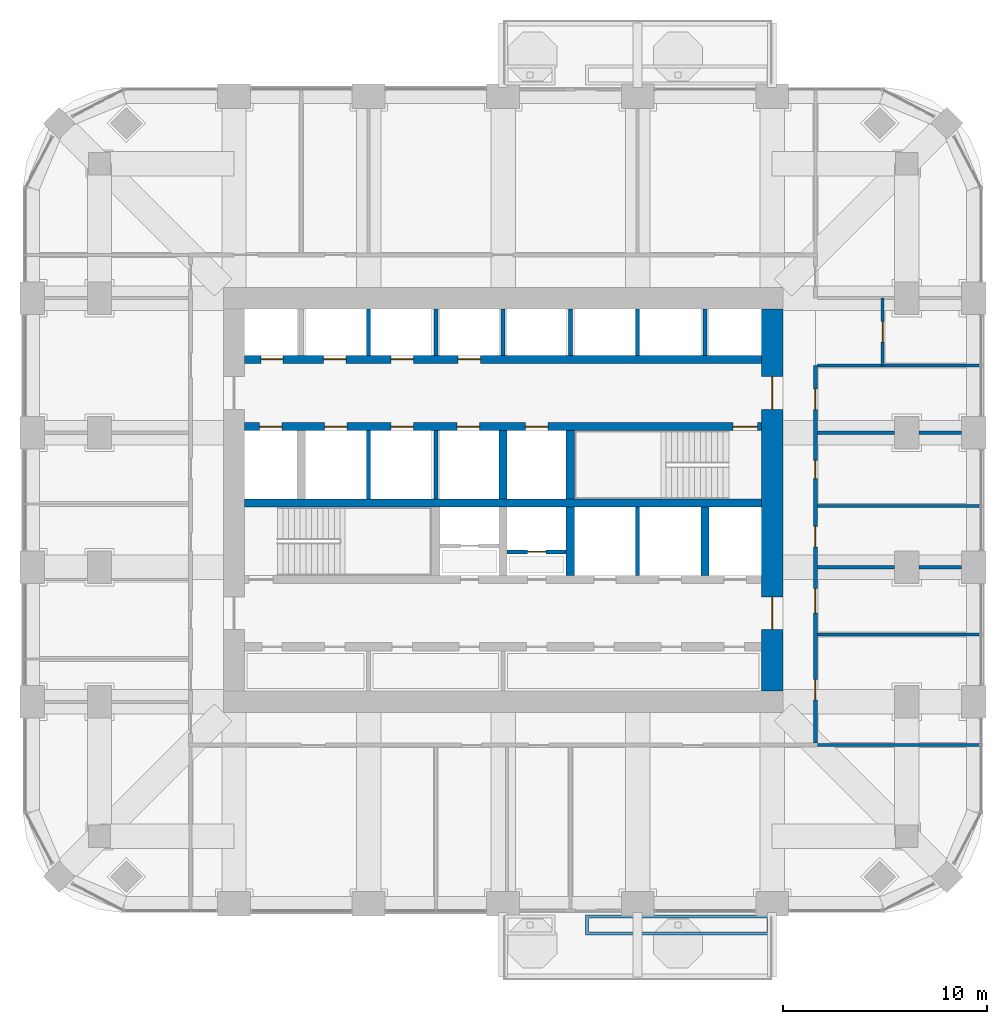
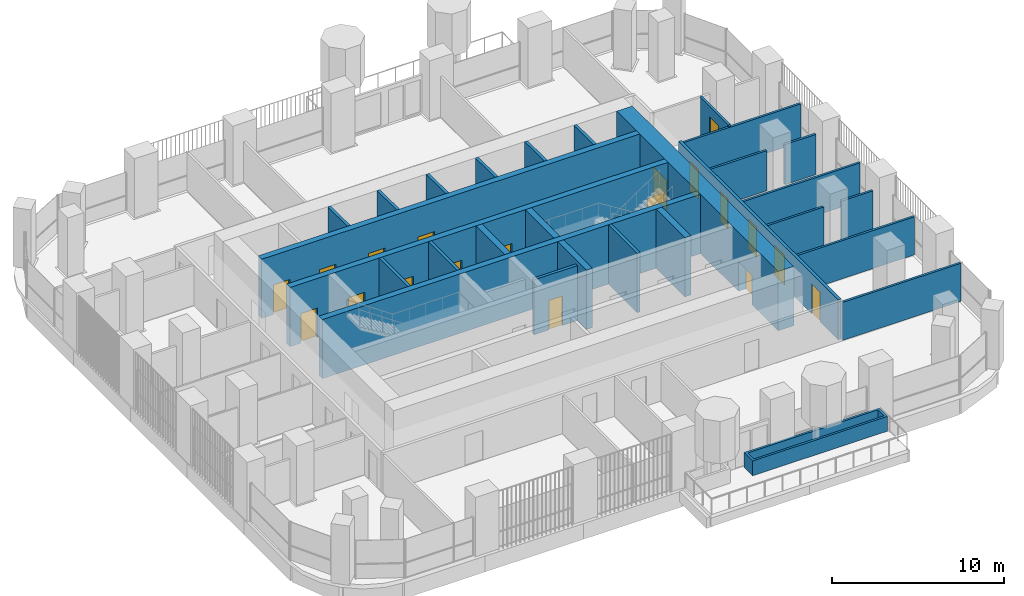
# One storey, part 14 of 19: 29 walls, 19 doors, 19 openings.
"""IFC4 building model written with IfcOpenShell, lengths in metres."""

from ifc_helpers import new_model, si_unit, direction, frame, frame_2d, origin, place, context, subcontext, project, spatial, polyline, rectangle, outline, extrude, material, layer, layer_set, type_object, element, fill, save


model = new_model("IFC4")

# Units and contexts
model_context = context("Model", 3, precision=1e-05, world=origin(), true_north=direction((0.0, 1.0)))
body_context = subcontext(model_context, "Body", "Model", "MODEL_VIEW")
ifc_project = project(units=[si_unit("LENGTHUNIT", "METRE"), si_unit("AREAUNIT", "SQUARE_METRE"), si_unit("VOLUMEUNIT", "CUBIC_METRE"), si_unit("PLANEANGLEUNIT", "RADIAN"), si_unit("MASSUNIT", "GRAM", prefix="KILO")], contexts=[model_context])

# Site, building, storey
site_placement = place(None, origin())
site = spatial("IfcSite", under=ifc_project, at=site_placement, CompositionType="ELEMENT")
building_placement = place(site_placement, origin())
building = spatial("IfcBuilding", under=site, at=building_placement, Name="Cobogo Forest Laboratory Tower", CompositionType="ELEMENT")
storey_placement = place(building_placement, frame((0.0, 0.0, 197.699951171875)))
storey = spatial("IfcBuildingStorey", under=building, at=storey_placement, Name="L45", CompositionType="ELEMENT", Elevation=197.699951171875)

# Wall
ifc_material_1 = material(Name="Concrete HA-50 (C50/60)", Category="concrete")
ifc_layer_1 = layer(ifc_material_1, 0.39990234375)
ifc_layer_set_1 = layer_set([ifc_layer_1], Name="CI400 core inner wall 400")
wall_type_1 = type_object("IfcWallType", Name="CI400 core inner wall 400", PredefinedType="SHEAR", material=ifc_layer_set_1)
wall_1_placement = place(storey_placement, frame((13.72509765625, 22.949951171875, 0.0), z_axis=(0.0, 0.0, 1.0), x_axis=(1.0, 0.0, 0.0)))
element("IfcWall", 1, at=wall_1_placement, inside=storey, type_object=wall_type_1, Name="Core wall CI-22.95 L45", PredefinedType="SHEAR", context=body_context, shape_type="SweptSolid", body=[
    extrude(rectangle(XDim=25.349853515625, YDim=0.39990234375, at=frame_2d((12.6748046875, 0.0))), origin(), (0.0, 0.0, 1.0), 4.199951171875),
])

# Wall, openings, doors
wall_2_placement = place(storey_placement, frame((13.72509765625, 26.699951171875, 0.0), z_axis=(0.0, 0.0, 1.0), x_axis=(1.0, 0.0, 0.0)))
wall_2 = element("IfcWall", 2, at=wall_2_placement, inside=storey, type_object=wall_type_1, Name="Core wall CI-26.7 L45", PredefinedType="SHEAR", context=body_context, shape_type="SweptSolid", body=[
    extrude(rectangle(XDim=25.349853515625, YDim=0.39990234375, at=frame_2d((12.6748046875, 0.0))), origin(), (0.0, 0.0, 1.0), 4.199951171875),
])
opening_1_placement = place(wall_2_placement, frame((23.949951171875, 0.0, 0.0)))
opening_1 = element("IfcOpeningElement", 3, at=opening_1_placement, cuts=wall_2, Name="Opening L45-D30", PredefinedType="OPENING", context=body_context, shape_type="SweptSolid", body=[
    extrude(rectangle(XDim=1.199951171875, YDim=2.10009765625, at=frame_2d((0.60009765625, 1.050048828125))), frame((0.0, 0.2099609375, 0.0), z_axis=(0.0, -1.0, 0.0), x_axis=(1.0, 0.0, 0.0)), (0.0, 0.0, 1.0), 0.419921875),
])
opening_2_placement = place(wall_2_placement, frame((0.737548828125, 0.0, 0.0)))
opening_2 = element("IfcOpeningElement", 4, at=opening_2_placement, cuts=wall_2, Name="Opening L45-LD-FL1", PredefinedType="OPENING", context=body_context, shape_type="SweptSolid", body=[
    extrude(rectangle(XDim=1.10009765625, YDim=2.10009765625, at=frame_2d((0.550048828125, 1.050048828125))), frame((0.0, 0.2099609375, 0.0), z_axis=(0.0, -1.0, 0.0), x_axis=(1.0, 0.0, 0.0)), (0.0, 0.0, 1.0), 0.419921875),
])
opening_3_placement = place(wall_2_placement, frame((3.925048828125, 0.0, 0.0)))
opening_3 = element("IfcOpeningElement", 5, at=opening_3_placement, cuts=wall_2, Name="Opening L45-LD-LS3", PredefinedType="OPENING", context=body_context, shape_type="SweptSolid", body=[
    extrude(rectangle(XDim=1.10009765625, YDim=2.10009765625, at=frame_2d((0.550048828125, 1.050048828125))), frame((0.0, 0.2099609375, 0.0), z_axis=(0.0, -1.0, 0.0), x_axis=(1.0, 0.0, 0.0)), (0.0, 0.0, 1.0), 0.419921875),
])
opening_4_placement = place(wall_2_placement, frame((7.175048828125, 0.0, 0.0)))
opening_4 = element("IfcOpeningElement", 6, at=opening_4_placement, cuts=wall_2, Name="Opening L45-LD-LS4", PredefinedType="OPENING", context=body_context, shape_type="SweptSolid", body=[
    extrude(rectangle(XDim=1.10009765625, YDim=2.10009765625, at=frame_2d((0.550048828125, 1.050048828125))), frame((0.0, 0.2099609375, 0.0), z_axis=(0.0, -1.0, 0.0), x_axis=(1.0, 0.0, 0.0)), (0.0, 0.0, 1.0), 0.419921875),
])
opening_5_placement = place(wall_2_placement, frame((10.425048828125, 0.0, 0.0)))
opening_5 = element("IfcOpeningElement", 7, at=opening_5_placement, cuts=wall_2, Name="Opening L45-LD-LS5", PredefinedType="OPENING", context=body_context, shape_type="SweptSolid", body=[
    extrude(rectangle(XDim=1.10009765625, YDim=2.10009765625, at=frame_2d((0.550048828125, 1.050048828125))), frame((0.0, 0.2099609375, 0.0), z_axis=(0.0, -1.0, 0.0), x_axis=(1.0, 0.0, 0.0)), (0.0, 0.0, 1.0), 0.419921875),
])
opening_6_placement = place(wall_2_placement, frame((13.77490234375, 0.0, 0.0)))
opening_6 = element("IfcOpeningElement", 8, at=opening_6_placement, cuts=wall_2, Name="Opening L45-LD-LS6", PredefinedType="OPENING", context=body_context, shape_type="SweptSolid", body=[
    extrude(rectangle(XDim=1.10009765625, YDim=2.10009765625, at=frame_2d((0.550048828125, 1.050048828125))), frame((0.0, 0.2099609375, 0.0), z_axis=(0.0, -1.0, 0.0), x_axis=(1.0, 0.0, 0.0)), (0.0, 0.0, 1.0), 0.419921875),
])
ifc_material_2 = material(Name="Steel fire door", Category="steel")
door_type_1 = type_object("IfcDoorType", Name="DS1 protected stair door 1200 EI2 60", OperationType="SINGLE_SWING_LEFT", PredefinedType="DOOR", material=ifc_material_2)
door_1_placement = place(opening_1_placement, origin())
door_1 = element("IfcDoor", 9, at=door_1_placement, inside=storey, type_object=door_type_1, Name="Door L45-ST2", OperationType="SINGLE_SWING_RIGHT", OverallHeight=2.10009765625, OverallWidth=1.199951171875, PredefinedType="DOOR", context=body_context, shape_type="SweptSolid", body=[
    extrude(rectangle(XDim=1.199951171875, YDim=2.10009765625, at=frame_2d((0.60009765625, 1.050048828125))), frame((0.0, 0.02490234375, 0.0), z_axis=(0.0, -1.0, 0.0), x_axis=(1.0, 0.0, 0.0)), (0.0, 0.0, 1.0), 0.050048828125),
])
fill(opening_1, door_1)
ifc_material_3 = material(Name="Stainless steel lift door", Category="steel")
door_type_2 = type_object("IfcDoorType", Name="LD lift landing door 1100", OperationType="DOUBLE_DOOR_SLIDING", PredefinedType="DOOR", material=ifc_material_3)
door_2_placement = place(opening_2_placement, origin())
door_2 = element("IfcDoor", 10, at=door_2_placement, inside=storey, type_object=door_type_2, Name="Lift landing door FL1 L45", OperationType="DOUBLE_DOOR_SLIDING", OverallHeight=2.10009765625, OverallWidth=1.10009765625, PredefinedType="DOOR", context=body_context, shape_type="SweptSolid", body=[
    extrude(rectangle(XDim=1.10009765625, YDim=2.10009765625, at=frame_2d((0.550048828125, 1.050048828125))), frame((0.0, 0.02490234375, 0.0), z_axis=(0.0, -1.0, 0.0), x_axis=(1.0, 0.0, 0.0)), (0.0, 0.0, 1.0), 0.050048828125),
])
fill(opening_2, door_2)
door_3_placement = place(opening_3_placement, origin())
door_3 = element("IfcDoor", 11, at=door_3_placement, inside=storey, type_object=door_type_2, Name="Lift landing door LS3 L45", OperationType="DOUBLE_DOOR_SLIDING", OverallHeight=2.10009765625, OverallWidth=1.10009765625, PredefinedType="DOOR", context=body_context, shape_type="SweptSolid", body=[
    extrude(rectangle(XDim=1.10009765625, YDim=2.10009765625, at=frame_2d((0.550048828125, 1.050048828125))), frame((0.0, 0.02490234375, 0.0), z_axis=(0.0, -1.0, 0.0), x_axis=(1.0, 0.0, 0.0)), (0.0, 0.0, 1.0), 0.050048828125),
])
fill(opening_3, door_3)
door_4_placement = place(opening_4_placement, origin())
door_4 = element("IfcDoor", 12, at=door_4_placement, inside=storey, type_object=door_type_2, Name="Lift landing door LS4 L45", OperationType="DOUBLE_DOOR_SLIDING", OverallHeight=2.10009765625, OverallWidth=1.10009765625, PredefinedType="DOOR", context=body_context, shape_type="SweptSolid", body=[
    extrude(rectangle(XDim=1.10009765625, YDim=2.10009765625, at=frame_2d((0.550048828125, 1.050048828125))), frame((0.0, 0.02490234375, 0.0), z_axis=(0.0, -1.0, 0.0), x_axis=(1.0, 0.0, 0.0)), (0.0, 0.0, 1.0), 0.050048828125),
])
fill(opening_4, door_4)
door_5_placement = place(opening_5_placement, origin())
door_5 = element("IfcDoor", 13, at=door_5_placement, inside=storey, type_object=door_type_2, Name="Lift landing door LS5 L45", OperationType="DOUBLE_DOOR_SLIDING", OverallHeight=2.10009765625, OverallWidth=1.10009765625, PredefinedType="DOOR", context=body_context, shape_type="SweptSolid", body=[
    extrude(rectangle(XDim=1.10009765625, YDim=2.10009765625, at=frame_2d((0.550048828125, 1.050048828125))), frame((0.0, 0.02490234375, 0.0), z_axis=(0.0, -1.0, 0.0), x_axis=(1.0, 0.0, 0.0)), (0.0, 0.0, 1.0), 0.050048828125),
])
fill(opening_5, door_5)
door_6_placement = place(opening_6_placement, origin())
door_6 = element("IfcDoor", 14, at=door_6_placement, inside=storey, type_object=door_type_2, Name="Lift landing door LS6 L45", OperationType="DOUBLE_DOOR_SLIDING", OverallHeight=2.10009765625, OverallWidth=1.10009765625, PredefinedType="DOOR", context=body_context, shape_type="SweptSolid", body=[
    extrude(rectangle(XDim=1.10009765625, YDim=2.10009765625, at=frame_2d((0.550048828125, 1.050048828125))), frame((0.0, 0.02490234375, 0.0), z_axis=(0.0, -1.0, 0.0), x_axis=(1.0, 0.0, 0.0)), (0.0, 0.0, 1.0), 0.050048828125),
])
fill(opening_6, door_6)

wall_3_placement = place(storey_placement, frame((13.72509765625, 30.0, 0.0), z_axis=(0.0, 0.0, 1.0), x_axis=(1.0, 0.0, 0.0)))
wall_3 = element("IfcWall", 15, at=wall_3_placement, inside=storey, type_object=wall_type_1, Name="Core wall CI-30.0 L45", PredefinedType="SHEAR", context=body_context, shape_type="SweptSolid", body=[
    extrude(rectangle(XDim=25.349853515625, YDim=0.39990234375, at=frame_2d((12.6748046875, 0.0))), origin(), (0.0, 0.0, 1.0), 4.199951171875),
])
opening_7_placement = place(wall_3_placement, frame((0.78759765625, 0.0, 0.0)))
opening_7 = element("IfcOpeningElement", 16, at=opening_7_placement, cuts=wall_3, Name="Opening L45-LD-LC1", PredefinedType="OPENING", context=body_context, shape_type="SweptSolid", body=[
    extrude(rectangle(XDim=1.10009765625, YDim=2.10009765625, at=frame_2d((0.550048828125, 1.050048828125))), frame((0.0, 0.2099609375, 0.0), z_axis=(0.0, -1.0, 0.0), x_axis=(1.0, 0.0, 0.0)), (0.0, 0.0, 1.0), 0.419921875),
])
opening_8_placement = place(wall_3_placement, frame((3.875, 0.0, 0.0)))
opening_8 = element("IfcOpeningElement", 17, at=opening_8_placement, cuts=wall_3, Name="Opening L45-LD-LC2", PredefinedType="OPENING", context=body_context, shape_type="SweptSolid", body=[
    extrude(rectangle(XDim=1.10009765625, YDim=2.10009765625, at=frame_2d((0.550048828125, 1.050048828125))), frame((0.0, 0.2099609375, 0.0), z_axis=(0.0, -1.0, 0.0), x_axis=(1.0, 0.0, 0.0)), (0.0, 0.0, 1.0), 0.419921875),
])
opening_9_placement = place(wall_3_placement, frame((7.175048828125, 0.0, 0.0)))
opening_9 = element("IfcOpeningElement", 18, at=opening_9_placement, cuts=wall_3, Name="Opening L45-LD-LC3", PredefinedType="OPENING", context=body_context, shape_type="SweptSolid", body=[
    extrude(rectangle(XDim=1.10009765625, YDim=2.10009765625, at=frame_2d((0.550048828125, 1.050048828125))), frame((0.0, 0.2099609375, 0.0), z_axis=(0.0, -1.0, 0.0), x_axis=(1.0, 0.0, 0.0)), (0.0, 0.0, 1.0), 0.419921875),
])
opening_10_placement = place(wall_3_placement, frame((10.47509765625, 0.0, 0.0)))
opening_10 = element("IfcOpeningElement", 19, at=opening_10_placement, cuts=wall_3, Name="Opening L45-LD-LC4", PredefinedType="OPENING", context=body_context, shape_type="SweptSolid", body=[
    extrude(rectangle(XDim=1.10009765625, YDim=2.10009765625, at=frame_2d((0.550048828125, 1.050048828125))), frame((0.0, 0.2099609375, 0.0), z_axis=(0.0, -1.0, 0.0), x_axis=(1.0, 0.0, 0.0)), (0.0, 0.0, 1.0), 0.419921875),
])
door_7_placement = place(opening_7_placement, origin())
door_7 = element("IfcDoor", 20, at=door_7_placement, inside=storey, type_object=door_type_2, Name="Lift landing door LC1 L45", OperationType="DOUBLE_DOOR_SLIDING", OverallHeight=2.10009765625, OverallWidth=1.10009765625, PredefinedType="DOOR", context=body_context, shape_type="SweptSolid", body=[
    extrude(rectangle(XDim=1.10009765625, YDim=2.10009765625, at=frame_2d((0.550048828125, 1.050048828125))), frame((0.0, 0.02490234375, 0.0), z_axis=(0.0, -1.0, 0.0), x_axis=(1.0, 0.0, 0.0)), (0.0, 0.0, 1.0), 0.050048828125),
])
fill(opening_7, door_7)
door_8_placement = place(opening_8_placement, origin())
door_8 = element("IfcDoor", 21, at=door_8_placement, inside=storey, type_object=door_type_2, Name="Lift landing door LC2 L45", OperationType="DOUBLE_DOOR_SLIDING", OverallHeight=2.10009765625, OverallWidth=1.10009765625, PredefinedType="DOOR", context=body_context, shape_type="SweptSolid", body=[
    extrude(rectangle(XDim=1.10009765625, YDim=2.10009765625, at=frame_2d((0.550048828125, 1.050048828125))), frame((0.0, 0.02490234375, 0.0), z_axis=(0.0, -1.0, 0.0), x_axis=(1.0, 0.0, 0.0)), (0.0, 0.0, 1.0), 0.050048828125),
])
fill(opening_8, door_8)
door_9_placement = place(opening_9_placement, origin())
door_9 = element("IfcDoor", 22, at=door_9_placement, inside=storey, type_object=door_type_2, Name="Lift landing door LC3 L45", OperationType="DOUBLE_DOOR_SLIDING", OverallHeight=2.10009765625, OverallWidth=1.10009765625, PredefinedType="DOOR", context=body_context, shape_type="SweptSolid", body=[
    extrude(rectangle(XDim=1.10009765625, YDim=2.10009765625, at=frame_2d((0.550048828125, 1.050048828125))), frame((0.0, 0.02490234375, 0.0), z_axis=(0.0, -1.0, 0.0), x_axis=(1.0, 0.0, 0.0)), (0.0, 0.0, 1.0), 0.050048828125),
])
fill(opening_9, door_9)
door_10_placement = place(opening_10_placement, origin())
door_10 = element("IfcDoor", 23, at=door_10_placement, inside=storey, type_object=door_type_2, Name="Lift landing door LC4 L45", OperationType="DOUBLE_DOOR_SLIDING", OverallHeight=2.10009765625, OverallWidth=1.10009765625, PredefinedType="DOOR", context=body_context, shape_type="SweptSolid", body=[
    extrude(rectangle(XDim=1.10009765625, YDim=2.10009765625, at=frame_2d((0.550048828125, 1.050048828125))), frame((0.0, 0.02490234375, 0.0), z_axis=(0.0, -1.0, 0.0), x_axis=(1.0, 0.0, 0.0)), (0.0, 0.0, 1.0), 0.050048828125),
])
fill(opening_10, door_10)

# Walls
for number, where, z_axis, x_axis, name in (
    (24, (29.699951171875, 19.39990234375, 0.0), (0.0, 0.0, 1.0), (0.0, 1.0, 0.0), "Core wall CX-29.7S L45"),
    (25, (36.300048828125, 19.39990234375, 0.0), (0.0, 0.0, 1.0), (0.0, 1.0, 0.0), "Core wall CX-36.3 L45"),
    (26, (26.39990234375, 23.14990234375, 0.0), (0.0, 0.0, 1.0), (0.0, 1.0, 0.0), "Core wall CX-26.4N L45"),
    (27, (29.699951171875, 23.14990234375, 0.0), (0.0, 0.0, 1.0), (0.0, 1.0, 0.0), "Core wall CX-29.7N L45"),
):
    element("IfcWall", number, at=place(storey_placement, frame(where, z_axis=z_axis, x_axis=x_axis)), inside=storey, type_object=wall_type_1, Name=name, PredefinedType="SHEAR", context=body_context, shape_type="SweptSolid", body=[
        extrude(rectangle(XDim=3.35009765625, YDim=0.39990234375, at=frame_2d((1.675048828125, 0.0))), origin(), (0.0, 0.0, 1.0), 4.199951171875),
    ])

# Wall, openings, doors
ifc_layer_2 = layer(ifc_material_1, 1.050048828125)
ifc_layer_set_2 = layer_set([ifc_layer_2], Name="CW1050 core outer wall 1050")
wall_type_2 = type_object("IfcWallType", Name="CW1050 core outer wall 1050", PredefinedType="SHEAR", material=ifc_layer_set_2)
wall_4_placement = place(storey_placement, frame((39.60009765625, 13.72509765625, 0.0), z_axis=(0.0, 0.0, 1.0), x_axis=(0.0, 1.0, 0.0)))
wall_4 = element("IfcWall", 28, at=wall_4_placement, inside=storey, type_object=wall_type_2, Name="Core wall CO-E L45", PredefinedType="SHEAR", context=body_context, shape_type="SweptSolid", body=[
    extrude(rectangle(XDim=18.75, YDim=1.050048828125, at=frame_2d((9.375, 0.0))), origin(), (0.0, 0.0, 1.0), 4.199951171875),
])
opening_11_placement = place(wall_4_placement, frame((3.02490234375, 0.0, 0.0)))
opening_11 = element("IfcOpeningElement", 29, at=opening_11_placement, cuts=wall_4, Name="Opening L45-D19", PredefinedType="OPENING", context=body_context, shape_type="SweptSolid", body=[
    extrude(rectangle(XDim=1.60009765625, YDim=2.10009765625, at=frame_2d((0.800048828125, 1.050048828125))), frame((0.0, 0.534912109375, 0.0), z_axis=(0.0, -1.0, 0.0), x_axis=(1.0, 0.0, 0.0)), (0.0, 0.0, 1.0), 1.070068359375),
])
opening_12_placement = place(wall_4_placement, frame((13.824951171875, 0.0, 0.0)))
opening_12 = element("IfcOpeningElement", 30, at=opening_12_placement, cuts=wall_4, Name="Opening L45-D33", PredefinedType="OPENING", context=body_context, shape_type="SweptSolid", body=[
    extrude(rectangle(XDim=1.60009765625, YDim=2.10009765625, at=frame_2d((0.800048828125, 1.050048828125))), frame((0.0, 0.534912109375, 0.0), z_axis=(0.0, -1.0, 0.0), x_axis=(1.0, 0.0, 0.0)), (0.0, 0.0, 1.0), 1.070068359375),
])
door_type_3 = type_object("IfcDoorType", Name="DS2 protected lobby door pair 1600 EI2 60", OperationType="DOUBLE_DOOR_DOUBLE_SWING", PredefinedType="DOOR", material=ifc_material_2)
door_11_placement = place(opening_11_placement, origin())
door_11 = element("IfcDoor", 31, at=door_11_placement, inside=storey, type_object=door_type_3, Name="Door L45-CO-E-S", OperationType="DOUBLE_DOOR_DOUBLE_SWING", OverallHeight=2.10009765625, OverallWidth=1.60009765625, PredefinedType="DOOR", context=body_context, shape_type="SweptSolid", body=[
    extrude(rectangle(XDim=1.60009765625, YDim=2.10009765625, at=frame_2d((0.800048828125, 1.050048828125))), frame((0.0, 0.02490234375, 0.0), z_axis=(0.0, -1.0, 0.0), x_axis=(1.0, 0.0, 0.0)), (0.0, 0.0, 1.0), 0.050048828125),
])
fill(opening_11, door_11)
door_12_placement = place(opening_12_placement, origin())
door_12 = element("IfcDoor", 32, at=door_12_placement, inside=storey, type_object=door_type_3, Name="Door L45-CO-E-N", OperationType="DOUBLE_DOOR_DOUBLE_SWING", OverallHeight=2.10009765625, OverallWidth=1.60009765625, PredefinedType="DOOR", context=body_context, shape_type="SweptSolid", body=[
    extrude(rectangle(XDim=1.60009765625, YDim=2.10009765625, at=frame_2d((0.800048828125, 1.050048828125))), frame((0.0, 0.02490234375, 0.0), z_axis=(0.0, -1.0, 0.0), x_axis=(1.0, 0.0, 0.0)), (0.0, 0.0, 1.0), 0.050048828125),
])
fill(opening_12, door_12)

# Walls
ifc_material_4 = material(Name="Gypsum board on steel studs", Category="steel")
ifc_layer_3 = layer(ifc_material_4, 0.14990234375)
ifc_layer_set_3 = layer_set([ifc_layer_3], Name="PT1 laboratory partition 150")
wall_type_3 = type_object("IfcWallType", Name="PT1 laboratory partition 150", PredefinedType="PARTITIONING", material=ifc_layer_set_3)
for number, where, z_axis, x_axis, name in (
    (33, (49.77001953125, 11.074951171875, 0.0), (0.0, 0.0, 1.0), (-1.0, 0.0, 0.0), "Partition PW-SE L45"),
    (34, (49.77001953125, 22.800048828125, 0.0), (0.0, 0.0, 1.0), (-1.0, 0.0, 0.0), "Partition SVC-E1-1 L45"),
):
    element("IfcWall", number, at=place(storey_placement, frame(where, z_axis=z_axis, x_axis=x_axis)), inside=storey, type_object=wall_type_3, Name=name, PredefinedType="PARTITIONING", context=body_context, shape_type="SweptSolid", body=[
        extrude(rectangle(XDim=7.945068359375, YDim=0.14990234375, at=frame_2d((3.97265625, 0.0))), origin(), (0.0, 0.0, 1.0), 2.699951171875),
    ])
wall_5_placement = place(storey_placement, frame((48.89990234375, 26.39990234375, 0.0), z_axis=(0.0, 0.0, 1.0), x_axis=(-1.0, 0.0, 0.0)))
element("IfcWall", 35, at=wall_5_placement, inside=storey, type_object=wall_type_3, Name="Partition SVC-E2-1 L45", PredefinedType="PARTITIONING", context=body_context, shape_type="SweptSolid", body=[
    extrude(rectangle(XDim=2.099853515625, YDim=0.14990234375, at=frame_2d((1.0498046875, 0.0))), origin(), (0.0, 0.0, 1.0), 2.85009765625),
])
wall_6_placement = place(storey_placement, frame((45.60009765625, 26.39990234375, 0.0), z_axis=(0.0, 0.0, 1.0), x_axis=(-1.0, 0.0, 0.0)))
element("IfcWall", 36, at=wall_6_placement, inside=storey, type_object=wall_type_3, Name="Partition SVC-E2-2 L45", PredefinedType="PARTITIONING", context=body_context, shape_type="SweptSolid", body=[
    extrude(rectangle(XDim=3.775146484375, YDim=0.14990234375, at=frame_2d((1.8876953125, 0.0))), origin(), (0.0, 0.0, 1.0), 2.85009765625),
])

# Wall, opening, door
wall_7_placement = place(storey_placement, frame((45.02490234375, 29.699951171875, 0.0), z_axis=(0.0, 0.0, 1.0), x_axis=(0.0, 1.0, 0.0)))
wall_7 = element("IfcWall", 37, at=wall_7_placement, inside=storey, type_object=wall_type_3, Name="Partition NODE-E-1 L45", PredefinedType="PARTITIONING", context=body_context, shape_type="SweptSolid", body=[
    extrude(rectangle(XDim=3.300048828125, YDim=0.14990234375, at=frame_2d((1.64990234375, 0.0))), origin(), (0.0, 0.0, 1.0), 2.85009765625),
])
opening_13_placement = place(wall_7_placement, frame((1.14990234375, 0.0, 0.0)))
opening_13 = element("IfcOpeningElement", 38, at=opening_13_placement, cuts=wall_7, Name="Opening L45-D35", PredefinedType="OPENING", context=body_context, shape_type="SweptSolid", body=[
    extrude(rectangle(XDim=1.0, YDim=2.10009765625, at=frame_2d((0.5, 1.050048828125))), frame((0.0, 0.0849609375, 0.0), z_axis=(0.0, -1.0, 0.0), x_axis=(1.0, 0.0, 0.0)), (0.0, 0.0, 1.0), 0.169921875),
])
ifc_material_5 = material(Name="Timber fire door", Category="wood")
door_type_4 = type_object("IfcDoorType", Name="FD2 fire door 1000 EI2 30", OperationType="SINGLE_SWING_LEFT", PredefinedType="DOOR", material=ifc_material_5)
door_13_placement = place(opening_13_placement, origin())
door_13 = element("IfcDoor", 39, at=door_13_placement, inside=storey, type_object=door_type_4, Name="Door L45-E4", OperationType="SINGLE_SWING_LEFT", OverallHeight=2.10009765625, OverallWidth=1.0, PredefinedType="DOOR", context=body_context, shape_type="SweptSolid", body=[
    extrude(rectangle(XDim=1.0, YDim=2.10009765625, at=frame_2d((0.5, 1.050048828125))), frame((0.0, 0.02490234375, 0.0), z_axis=(0.0, -1.0, 0.0), x_axis=(1.0, 0.0, 0.0)), (0.0, 0.0, 1.0), 0.050048828125),
])
fill(opening_13, door_13)

# Walls
wall_8_placement = place(storey_placement, frame((49.77001953125, 16.5, 0.0), z_axis=(0.0, 0.0, 1.0), x_axis=(-1.0, 0.0, 0.0)))
element("IfcWall", 40, at=wall_8_placement, inside=storey, type_object=wall_type_3, Name="Partition CUT-E16.5-1 L45", PredefinedType="PARTITIONING", context=body_context, shape_type="SweptSolid", body=[
    extrude(rectangle(XDim=7.945068359375, YDim=0.14990234375, at=frame_2d((3.97265625, 0.0))), origin(), (0.0, 0.0, 1.0), 2.699951171875),
])
wall_9_placement = place(storey_placement, frame((48.89990234375, 19.800048828125, 0.0), z_axis=(0.0, 0.0, 1.0), x_axis=(-1.0, 0.0, 0.0)))
element("IfcWall", 41, at=wall_9_placement, inside=storey, type_object=wall_type_3, Name="Partition CUT-E19.8-1 L45", PredefinedType="PARTITIONING", context=body_context, shape_type="SweptSolid", body=[
    extrude(rectangle(XDim=2.099853515625, YDim=0.14990234375, at=frame_2d((1.0498046875, 0.0))), origin(), (0.0, 0.0, 1.0), 2.85009765625),
])
wall_10_placement = place(storey_placement, frame((45.60009765625, 19.800048828125, 0.0), z_axis=(0.0, 0.0, 1.0), x_axis=(-1.0, 0.0, 0.0)))
element("IfcWall", 42, at=wall_10_placement, inside=storey, type_object=wall_type_3, Name="Partition CUT-E19.8-2 L45", PredefinedType="PARTITIONING", context=body_context, shape_type="SweptSolid", body=[
    extrude(rectangle(XDim=3.775146484375, YDim=0.14990234375, at=frame_2d((1.8876953125, 0.0))), origin(), (0.0, 0.0, 1.0), 2.85009765625),
])
wall_11_placement = place(storey_placement, frame((49.77001953125, 29.699951171875, 0.0), z_axis=(0.0, 0.0, 1.0), x_axis=(-1.0, 0.0, 0.0)))
element("IfcWall", 43, at=wall_11_placement, inside=storey, type_object=wall_type_3, Name="Partition CUT-E29.7-1 L45", PredefinedType="PARTITIONING", context=body_context, shape_type="SweptSolid", body=[
    extrude(rectangle(XDim=7.945068359375, YDim=0.14990234375, at=frame_2d((3.97265625, 0.0))), origin(), (0.0, 0.0, 1.0), 2.699951171875),
])

# Wall, openings, doors
ifc_layer_4 = layer(ifc_material_4, 0.199951171875)
ifc_layer_set_4 = layer_set([ifc_layer_4], Name="PT2 fire-rated corridor partition 200")
wall_type_4 = type_object("IfcWallType", Name="PT2 fire-rated corridor partition 200", PredefinedType="PARTITIONING", material=ifc_layer_set_4)
wall_12_placement = place(storey_placement, frame((41.72509765625, 11.175048828125, 0.0), z_axis=(0.0, 0.0, 1.0), x_axis=(0.0, 1.0, 0.0)))
wall_12 = element("IfcWall", 44, at=wall_12_placement, inside=storey, type_object=wall_type_4, Name="Partition CORR-E-1 L45", PredefinedType="PARTITIONING", context=body_context, shape_type="SweptSolid", body=[
    extrude(rectangle(XDim=18.52490234375, YDim=0.199951171875, at=frame_2d((9.262451171875, 0.0))), origin(), (0.0, 0.0, 1.0), 2.85009765625),
])
opening_14_placement = place(wall_12_placement, frame((2.112548828125, 0.0, 0.0)))
opening_14 = element("IfcOpeningElement", 45, at=opening_14_placement, cuts=wall_12, Name="Opening L45-D07", PredefinedType="OPENING", context=body_context, shape_type="SweptSolid", body=[
    extrude(rectangle(XDim=1.0, YDim=2.10009765625, at=frame_2d((0.5, 1.050048828125))), frame((0.0, 0.10986328125, 0.0), z_axis=(0.0, -1.0, 0.0), x_axis=(1.0, 0.0, 0.0)), (0.0, 0.0, 1.0), 0.219970703125),
])
opening_15_placement = place(wall_12_placement, frame((6.375, 0.0, 0.0)))
opening_15 = element("IfcOpeningElement", 46, at=opening_15_placement, cuts=wall_12, Name="Opening L45-D20", PredefinedType="OPENING", context=body_context, shape_type="SweptSolid", body=[
    extrude(rectangle(XDim=1.199951171875, YDim=2.10009765625, at=frame_2d((0.60009765625, 1.050048828125))), frame((0.0, 0.10986328125, 0.0), z_axis=(0.0, -1.0, 0.0), x_axis=(1.0, 0.0, 0.0)), (0.0, 0.0, 1.0), 0.219970703125),
])
opening_16_placement = place(wall_12_placement, frame((9.625, 0.0, 0.0)))
opening_16 = element("IfcOpeningElement", 47, at=opening_16_placement, cuts=wall_12, Name="Opening L45-D27", PredefinedType="OPENING", context=body_context, shape_type="SweptSolid", body=[
    extrude(rectangle(XDim=1.0, YDim=2.10009765625, at=frame_2d((0.5, 1.050048828125))), frame((0.0, 0.10986328125, 0.0), z_axis=(0.0, -1.0, 0.0), x_axis=(1.0, 0.0, 0.0)), (0.0, 0.0, 1.0), 0.219970703125),
])
opening_17_placement = place(wall_12_placement, frame((12.97509765625, 0.0, 0.0)))
opening_17 = element("IfcOpeningElement", 48, at=opening_17_placement, cuts=wall_12, Name="Opening L45-D28", PredefinedType="OPENING", context=body_context, shape_type="SweptSolid", body=[
    extrude(rectangle(XDim=0.89990234375, YDim=2.10009765625, at=frame_2d((0.449951171875, 1.050048828125))), frame((0.0, 0.10986328125, 0.0), z_axis=(0.0, -1.0, 0.0), x_axis=(1.0, 0.0, 0.0)), (0.0, 0.0, 1.0), 0.219970703125),
])
opening_18_placement = place(wall_12_placement, frame((16.375, 0.0, 0.0)))
opening_18 = element("IfcOpeningElement", 49, at=opening_18_placement, cuts=wall_12, Name="Opening L45-D31", PredefinedType="OPENING", context=body_context, shape_type="SweptSolid", body=[
    extrude(rectangle(XDim=1.0, YDim=2.10009765625, at=frame_2d((0.5, 1.050048828125))), frame((0.0, 0.10986328125, 0.0), z_axis=(0.0, -1.0, 0.0), x_axis=(1.0, 0.0, 0.0)), (0.0, 0.0, 1.0), 0.219970703125),
])
ifc_material_6 = material(Name="Timber door", Category="wood")
door_type_5 = type_object("IfcDoorType", Name="D2 laboratory door 1200 unequal pair", OperationType="DOUBLE_DOOR_SINGLE_SWING", PredefinedType="DOOR", material=ifc_material_6)
door_14_placement = place(opening_15_placement, origin())
door_14 = element("IfcDoor", 50, at=door_14_placement, inside=storey, type_object=door_type_5, Name="Door L45-E2", OperationType="DOUBLE_DOOR_SINGLE_SWING", OverallHeight=2.10009765625, OverallWidth=1.199951171875, PredefinedType="DOOR", context=body_context, shape_type="SweptSolid", body=[
    extrude(rectangle(XDim=1.199951171875, YDim=2.10009765625, at=frame_2d((0.60009765625, 1.050048828125))), frame((0.0, 0.02490234375, 0.0), z_axis=(0.0, -1.0, 0.0), x_axis=(1.0, 0.0, 0.0)), (0.0, 0.0, 1.0), 0.050048828125),
])
fill(opening_15, door_14)
door_type_6 = type_object("IfcDoorType", Name="FD1 fire door 1000 EI2 60", OperationType="SINGLE_SWING_LEFT", PredefinedType="DOOR", material=ifc_material_2)
door_15_placement = place(opening_16_placement, origin())
door_15 = element("IfcDoor", 51, at=door_15_placement, inside=storey, type_object=door_type_6, Name="Door L45-ELEC", OperationType="SINGLE_SWING_RIGHT", OverallHeight=2.10009765625, OverallWidth=1.0, PredefinedType="DOOR", context=body_context, shape_type="SweptSolid", body=[
    extrude(rectangle(XDim=1.0, YDim=2.10009765625, at=frame_2d((0.5, 1.050048828125))), frame((0.0, 0.02490234375, 0.0), z_axis=(0.0, -1.0, 0.0), x_axis=(1.0, 0.0, 0.0)), (0.0, 0.0, 1.0), 0.050048828125),
])
fill(opening_16, door_15)
door_16_placement = place(opening_14_placement, origin())
door_16 = element("IfcDoor", 52, at=door_16_placement, inside=storey, type_object=door_type_4, Name="Door L45-E1", OperationType="SINGLE_SWING_LEFT", OverallHeight=2.10009765625, OverallWidth=1.0, PredefinedType="DOOR", context=body_context, shape_type="SweptSolid", body=[
    extrude(rectangle(XDim=1.0, YDim=2.10009765625, at=frame_2d((0.5, 1.050048828125))), frame((0.0, 0.02490234375, 0.0), z_axis=(0.0, -1.0, 0.0), x_axis=(1.0, 0.0, 0.0)), (0.0, 0.0, 1.0), 0.050048828125),
])
fill(opening_14, door_16)
door_17_placement = place(opening_18_placement, origin())
door_17 = element("IfcDoor", 53, at=door_17_placement, inside=storey, type_object=door_type_4, Name="Door L45-E3", OperationType="SINGLE_SWING_RIGHT", OverallHeight=2.10009765625, OverallWidth=1.0, PredefinedType="DOOR", context=body_context, shape_type="SweptSolid", body=[
    extrude(rectangle(XDim=1.0, YDim=2.10009765625, at=frame_2d((0.5, 1.050048828125))), frame((0.0, 0.02490234375, 0.0), z_axis=(0.0, -1.0, 0.0), x_axis=(1.0, 0.0, 0.0)), (0.0, 0.0, 1.0), 0.050048828125),
])
fill(opening_18, door_17)
door_type_7 = type_object("IfcDoorType", Name="FD4 riser access door 900 EI2 60", OperationType="SINGLE_SWING_LEFT", PredefinedType="DOOR", material=ifc_material_2)
door_18_placement = place(opening_17_placement, origin())
door_18 = element("IfcDoor", 54, at=door_18_placement, inside=storey, type_object=door_type_7, Name="Door L45-COMMS", OperationType="SINGLE_SWING_RIGHT", OverallHeight=2.10009765625, OverallWidth=0.89990234375, PredefinedType="DOOR", context=body_context, shape_type="SweptSolid", body=[
    extrude(rectangle(XDim=0.89990234375, YDim=2.10009765625, at=frame_2d((0.449951171875, 1.050048828125))), frame((0.0, 0.02490234375, 0.0), z_axis=(0.0, -1.0, 0.0), x_axis=(1.0, 0.0, 0.0)), (0.0, 0.0, 1.0), 0.050048828125),
])
fill(opening_17, door_18)

# Wall, opening, door
wall_13_placement = place(storey_placement, frame((26.60009765625, 20.550048828125, 0.0), z_axis=(0.0, 0.0, 1.0), x_axis=(1.0, 0.0, 0.0)))
wall_13 = element("IfcWall", 55, at=wall_13_placement, inside=storey, type_object=wall_type_4, Name="Partition RSPLIT-R2 L45", PredefinedType="PARTITIONING", context=body_context, shape_type="SweptSolid", body=[
    extrude(rectangle(XDim=2.89990234375, YDim=0.199951171875, at=frame_2d((1.449951171875, 0.0))), origin(), (0.0, 0.0, 1.0), 3.900146484375),
])
opening_19_placement = place(wall_13_placement, frame((1.0, 0.0, 0.0)))
opening_19 = element("IfcOpeningElement", 56, at=opening_19_placement, cuts=wall_13, Name="Opening L45-D24", PredefinedType="OPENING", context=body_context, shape_type="SweptSolid", body=[
    extrude(rectangle(XDim=0.89990234375, YDim=2.10009765625, at=frame_2d((0.449951171875, 1.050048828125))), frame((0.0, 0.10986328125, 0.0), z_axis=(0.0, -1.0, 0.0), x_axis=(1.0, 0.0, 0.0)), (0.0, 0.0, 1.0), 0.219970703125),
])
door_19_placement = place(opening_19_placement, origin())
door_19 = element("IfcDoor", 57, at=door_19_placement, inside=storey, type_object=door_type_7, Name="Door L45-R2", OperationType="SINGLE_SWING_RIGHT", OverallHeight=2.10009765625, OverallWidth=0.89990234375, PredefinedType="DOOR", context=body_context, shape_type="SweptSolid", body=[
    extrude(rectangle(XDim=0.89990234375, YDim=2.10009765625, at=frame_2d((0.449951171875, 1.050048828125))), frame((0.0, 0.02490234375, 0.0), z_axis=(0.0, -1.0, 0.0), x_axis=(1.0, 0.0, 0.0)), (0.0, 0.0, 1.0), 0.050048828125),
])
fill(opening_19, door_19)

# Walls
ifc_material_7 = material(Name="Concrete HA-40 (C40/50)", Category="concrete")
ifc_layer_5 = layer(ifc_material_7, 0.14990234375)
ifc_layer_set_5 = layer_set([ifc_layer_5], Name="Planter box 1000x1050")
wall_type_5 = type_object("IfcWallType", Name="Planter box 1000x1050", PredefinedType="USERDEFINED", material=ifc_layer_set_5)
wall_14_placement = place(storey_placement, origin())
element("IfcWall", 58, at=wall_14_placement, inside=storey, type_object=wall_type_5, Name="Planter BAL-S1-2 L45", ObjectType="PLANTER", PredefinedType="USERDEFINED", context=body_context, shape_type="SweptSolid", body=[
    extrude(outline(polyline([(30.449951171875, 1.75), (39.5, 1.75), (39.5, 2.75), (30.449951171875, 2.75), (30.449951171875, 1.75)]), holes=[polyline([(30.60009765625, 1.89990234375), (39.35009765625, 1.89990234375), (39.35009765625, 2.60009765625), (30.60009765625, 2.60009765625), (30.60009765625, 1.89990234375)])]), origin(), (0.0, 0.0, 1.0), 1.050048828125),
])
ifc_material_8 = material(Name="Concrete block", Category="concrete")
ifc_layer_6 = layer(ifc_material_8, 0.199951171875)
ifc_layer_set_6 = layer_set([ifc_layer_6], Name="SW200 lift shaft separator 200")
wall_type_6 = type_object("IfcWallType", Name="SW200 lift shaft separator 200", PredefinedType="PARTITIONING", material=ifc_layer_set_6)
for number, where, z_axis, x_axis, name in (
    (59, (19.800048828125, 30.199951171875, 0.0), (0.0, 0.0, 1.0), (0.0, 1.0, 0.0), "Core wall SEP-N2 L45"),
    (60, (23.10009765625, 30.199951171875, 0.0), (0.0, 0.0, 1.0), (0.0, 1.0, 0.0), "Core wall SEP-N3 L45"),
    (61, (26.39990234375, 30.199951171875, 0.0), (0.0, 0.0, 1.0), (0.0, 1.0, 0.0), "Core wall SEP-N4 L45"),
    (62, (29.699951171875, 30.199951171875, 0.0), (0.0, 0.0, 1.0), (0.0, 1.0, 0.0), "Core wall SEP-N5 L45"),
    (63, (33.0, 30.199951171875, 0.0), (0.0, 0.0, 1.0), (0.0, 1.0, 0.0), "Core wall SEP-N6 L45"),
    (64, (36.300048828125, 30.199951171875, 0.0), (0.0, 0.0, 1.0), (0.0, 1.0, 0.0), "Core wall SEP-N7 L45"),
):
    element("IfcWall", number, at=place(storey_placement, frame(where, z_axis=z_axis, x_axis=x_axis)), inside=storey, type_object=wall_type_6, Name=name, PredefinedType="PARTITIONING", context=body_context, shape_type="SweptSolid", body=[
        extrude(rectangle(XDim=2.275146484375, YDim=0.199951171875, at=frame_2d((1.1376953125, 0.0))), origin(), (0.0, 0.0, 1.0), 4.199951171875),
    ])
for number, where, z_axis, x_axis, name in (
    (65, (33.0, 19.39990234375, 0.0), (0.0, 0.0, 1.0), (0.0, 1.0, 0.0), "Core wall SEP-M33.0 L45"),
    (66, (19.800048828125, 23.14990234375, 0.0), (0.0, 0.0, 1.0), (0.0, 1.0, 0.0), "Core wall SEP-M19.8 L45"),
    (67, (23.10009765625, 23.14990234375, 0.0), (0.0, 0.0, 1.0), (0.0, 1.0, 0.0), "Core wall SEP-M23.1 L45"),
):
    element("IfcWall", number, at=place(storey_placement, frame(where, z_axis=z_axis, x_axis=x_axis)), inside=storey, type_object=wall_type_6, Name=name, PredefinedType="PARTITIONING", context=body_context, shape_type="SweptSolid", body=[
        extrude(rectangle(XDim=3.35009765625, YDim=0.199951171875, at=frame_2d((1.675048828125, 0.0))), origin(), (0.0, 0.0, 1.0), 4.199951171875),
    ])

save(model, "model.ifc")
